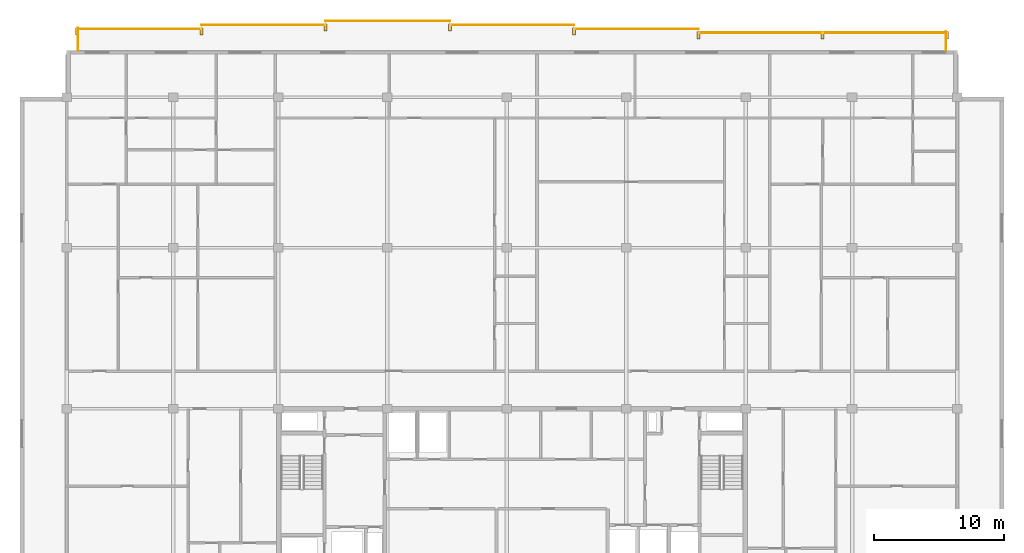
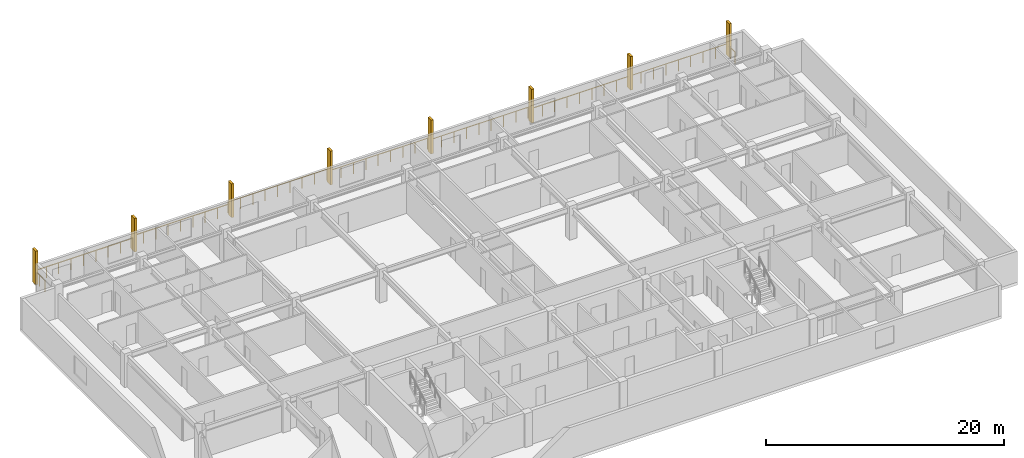
# One storey, part 10 of 10: 8 railings, 8 shading devices.
"""IFC4 building model written with IfcOpenShell, lengths in metres."""

from ifc_helpers import new_model, si_unit, direction, frame, origin, origin_2d, place, context, subcontext, project, spatial, rectangle, circle, extrude, material, type_object, element, save


model = new_model("IFC4")

# Units and contexts
model_context = context("Model", 3, precision=1e-05, world=origin(), true_north=direction((0.0, 1.0)))
body_context = subcontext(model_context, "Body", "Model", "MODEL_VIEW")
ifc_project = project(units=[si_unit("LENGTHUNIT", "METRE"), si_unit("AREAUNIT", "SQUARE_METRE"), si_unit("VOLUMEUNIT", "CUBIC_METRE"), si_unit("PLANEANGLEUNIT", "RADIAN"), si_unit("MASSUNIT", "GRAM", prefix="KILO")], contexts=[model_context])

# Site, building, storey
site_placement = place(None, origin())
site = spatial("IfcSite", under=ifc_project, at=site_placement, CompositionType="ELEMENT")
building_placement = place(site_placement, origin())
building = spatial("IfcBuilding", under=site, at=building_placement, Name="Korimba Cascade Residences", CompositionType="ELEMENT")
storey_placement = place(building_placement, frame((0.0, 0.0, 239.0)))
storey = spatial("IfcBuildingStorey", under=building, at=storey_placement, Name="L69", CompositionType="ELEMENT", Elevation=239.0)

# Railings
ifc_material_1 = material(Name="Laminated Glass and Bronze Balustrade", Category="glass")
railing_type = type_object("IfcRailingType", Name="RLG-LOG-1150", PredefinedType="BALUSTRADE", material=ifc_material_1)
railing_1_placement = place(storey_placement, frame((127.52001953125, 94.800048828125, 0.0)))
element("IfcRailing", 1, at=railing_1_placement, inside=storey, type_object=railing_type, Name="L69 Perimeter Guardrail RLG-L69-T1-LOG-01", PredefinedType="BALUSTRADE", context=body_context, shape_type="SweptSolid", body=[
    extrude(circle(Radius=0.02392578125, at=origin_2d()), frame((0.0, 0.0, 1.1259765625), z_axis=(0.0, 1.0, 0.0), x_axis=(-1.0, 0.0, 0.0)), (0.0, 0.0, 1.0), 1.449951171875),
    extrude(circle(Radius=0.02099609375, at=origin_2d()), origin(), (0.0, 0.0, 1.0), 1.101806640625),
    extrude(circle(Radius=0.02099609375, at=origin_2d()), frame((0.0, 0.72509765625, 0.0)), (0.0, 0.0, 1.0), 1.101806640625),
    extrude(circle(Radius=0.02099609375, at=origin_2d()), frame((0.0, 1.449951171875, 0.0)), (0.0, 0.0, 1.0), 1.101806640625),
])
railing_2_placement = place(storey_placement, frame((127.60009765625, 96.169921875, 0.0)))
element("IfcRailing", 2, at=railing_2_placement, inside=storey, type_object=railing_type, Name="L69 Perimeter Guardrail RLG-L69-T1-LOG-02", PredefinedType="BALUSTRADE", context=body_context, shape_type="SweptSolid", body=[
    extrude(circle(Radius=0.02392578125, at=origin_2d()), frame((0.0, 0.0, 1.1259765625), z_axis=(-1.0, 0.0, 0.0), x_axis=(0.0, -1.0, 0.0)), (0.0, 0.0, 1.0), 19.14306640625),
    extrude(circle(Radius=0.02099609375, at=origin_2d()), origin(), (0.0, 0.0, 1.0), 1.101806640625),
    extrude(circle(Radius=0.02099609375, at=origin_2d()), frame((-1.196533203125, 0.0, 0.0)), (0.0, 0.0, 1.0), 1.101806640625),
    extrude(circle(Radius=0.02099609375, at=origin_2d()), frame((-2.392822265625, 0.0, 0.0)), (0.0, 0.0, 1.0), 1.101806640625),
    extrude(circle(Radius=0.02099609375, at=origin_2d()), frame((-3.58935546875, 0.0, 0.0)), (0.0, 0.0, 1.0), 1.101806640625),
    extrude(circle(Radius=0.02099609375, at=origin_2d()), frame((-4.78564453125, 0.0, 0.0)), (0.0, 0.0, 1.0), 1.101806640625),
    extrude(circle(Radius=0.02099609375, at=origin_2d()), frame((-5.982177734375, 0.0, 0.0)), (0.0, 0.0, 1.0), 1.101806640625),
    extrude(circle(Radius=0.02099609375, at=origin_2d()), frame((-7.1787109375, 0.0, 0.0)), (0.0, 0.0, 1.0), 1.101806640625),
    extrude(circle(Radius=0.02099609375, at=origin_2d()), frame((-8.375, 0.0, 0.0)), (0.0, 0.0, 1.0), 1.101806640625),
    extrude(circle(Radius=0.02099609375, at=origin_2d()), frame((-9.571533203125, 0.0, 0.0)), (0.0, 0.0, 1.0), 1.101806640625),
    extrude(circle(Radius=0.02099609375, at=origin_2d()), frame((-10.76806640625, 0.0, 0.0)), (0.0, 0.0, 1.0), 1.101806640625),
    extrude(circle(Radius=0.02099609375, at=origin_2d()), frame((-11.96435546875, 0.0, 0.0)), (0.0, 0.0, 1.0), 1.101806640625),
    extrude(circle(Radius=0.02099609375, at=origin_2d()), frame((-13.160888671875, 0.0, 0.0)), (0.0, 0.0, 1.0), 1.101806640625),
    extrude(circle(Radius=0.02099609375, at=origin_2d()), frame((-14.357421875, 0.0, 0.0)), (0.0, 0.0, 1.0), 1.101806640625),
    extrude(circle(Radius=0.02099609375, at=origin_2d()), frame((-15.5537109375, 0.0, 0.0)), (0.0, 0.0, 1.0), 1.101806640625),
    extrude(circle(Radius=0.02099609375, at=origin_2d()), frame((-16.750244140625, 0.0, 0.0)), (0.0, 0.0, 1.0), 1.101806640625),
    extrude(circle(Radius=0.02099609375, at=origin_2d()), frame((-17.946533203125, 0.0, 0.0)), (0.0, 0.0, 1.0), 1.101806640625),
    extrude(circle(Radius=0.02099609375, at=origin_2d()), frame((-19.14306640625, 0.0, 0.0)), (0.0, 0.0, 1.0), 1.101806640625),
])
railing_3_placement = place(storey_placement, frame((108.45703125, 96.469970703125, 0.0)))
element("IfcRailing", 3, at=railing_3_placement, inside=storey, type_object=railing_type, Name="L69 Perimeter Guardrail RLG-L69-T1-LOG-03", PredefinedType="BALUSTRADE", context=body_context, shape_type="SweptSolid", body=[
    extrude(circle(Radius=0.02392578125, at=origin_2d()), frame((0.0, 0.0, 1.1259765625), z_axis=(-1.0, 0.0, 0.0), x_axis=(0.0, -1.0, 0.0)), (0.0, 0.0, 1.0), 9.5712890625),
    extrude(circle(Radius=0.02099609375, at=origin_2d()), origin(), (0.0, 0.0, 1.0), 1.101806640625),
    extrude(circle(Radius=0.02099609375, at=origin_2d()), frame((-1.1962890625, 0.0, 0.0)), (0.0, 0.0, 1.0), 1.101806640625),
    extrude(circle(Radius=0.02099609375, at=origin_2d()), frame((-2.392822265625, 0.0, 0.0)), (0.0, 0.0, 1.0), 1.101806640625),
    extrude(circle(Radius=0.02099609375, at=origin_2d()), frame((-3.58935546875, 0.0, 0.0)), (0.0, 0.0, 1.0), 1.101806640625),
    extrude(circle(Radius=0.02099609375, at=origin_2d()), frame((-4.78564453125, 0.0, 0.0)), (0.0, 0.0, 1.0), 1.101806640625),
    extrude(circle(Radius=0.02099609375, at=origin_2d()), frame((-5.98193359375, 0.0, 0.0)), (0.0, 0.0, 1.0), 1.101806640625),
    extrude(circle(Radius=0.02099609375, at=origin_2d()), frame((-7.178466796875, 0.0, 0.0)), (0.0, 0.0, 1.0), 1.101806640625),
    extrude(circle(Radius=0.02099609375, at=origin_2d()), frame((-8.375, 0.0, 0.0)), (0.0, 0.0, 1.0), 1.101806640625),
    extrude(circle(Radius=0.02099609375, at=origin_2d()), frame((-9.5712890625, 0.0, 0.0)), (0.0, 0.0, 1.0), 1.101806640625),
])
railing_4_placement = place(storey_placement, frame((98.8857421875, 96.77001953125, 0.0)))
element("IfcRailing", 4, at=railing_4_placement, inside=storey, type_object=railing_type, Name="L69 Perimeter Guardrail RLG-L69-T1-LOG-04", PredefinedType="BALUSTRADE", context=body_context, shape_type="SweptSolid", body=[
    extrude(circle(Radius=0.02392578125, at=origin_2d()), frame((0.0, 0.0, 1.1259765625), z_axis=(-1.0, 0.0, 0.0), x_axis=(0.0, -1.0, 0.0)), (0.0, 0.0, 1.0), 9.571533203125),
    extrude(circle(Radius=0.02099609375, at=origin_2d()), origin(), (0.0, 0.0, 1.0), 1.101806640625),
    extrude(circle(Radius=0.02099609375, at=origin_2d()), frame((-1.196533203125, 0.0, 0.0)), (0.0, 0.0, 1.0), 1.101806640625),
    extrude(circle(Radius=0.02099609375, at=origin_2d()), frame((-2.392822265625, 0.0, 0.0)), (0.0, 0.0, 1.0), 1.101806640625),
    extrude(circle(Radius=0.02099609375, at=origin_2d()), frame((-3.58935546875, 0.0, 0.0)), (0.0, 0.0, 1.0), 1.101806640625),
    extrude(circle(Radius=0.02099609375, at=origin_2d()), frame((-4.78564453125, 0.0, 0.0)), (0.0, 0.0, 1.0), 1.101806640625),
    extrude(circle(Radius=0.02099609375, at=origin_2d()), frame((-5.982177734375, 0.0, 0.0)), (0.0, 0.0, 1.0), 1.101806640625),
    extrude(circle(Radius=0.02099609375, at=origin_2d()), frame((-7.1787109375, 0.0, 0.0)), (0.0, 0.0, 1.0), 1.101806640625),
    extrude(circle(Radius=0.02099609375, at=origin_2d()), frame((-8.375, 0.0, 0.0)), (0.0, 0.0, 1.0), 1.101806640625),
    extrude(circle(Radius=0.02099609375, at=origin_2d()), frame((-9.571533203125, 0.0, 0.0)), (0.0, 0.0, 1.0), 1.101806640625),
])
railing_5_placement = place(storey_placement, frame((89.314208984375, 97.070068359375, 0.0)))
element("IfcRailing", 5, at=railing_5_placement, inside=storey, type_object=railing_type, Name="L69 Perimeter Guardrail RLG-L69-T1-LOG-05", PredefinedType="BALUSTRADE", context=body_context, shape_type="SweptSolid", body=[
    extrude(circle(Radius=0.02392578125, at=origin_2d()), frame((0.0, 0.0, 1.1259765625), z_axis=(-1.0, 0.0, 0.0), x_axis=(0.0, -1.0, 0.0)), (0.0, 0.0, 1.0), 9.5712890625),
    extrude(circle(Radius=0.02099609375, at=origin_2d()), origin(), (0.0, 0.0, 1.0), 1.101806640625),
    extrude(circle(Radius=0.02099609375, at=origin_2d()), frame((-1.1962890625, 0.0, 0.0)), (0.0, 0.0, 1.0), 1.101806640625),
    extrude(circle(Radius=0.02099609375, at=origin_2d()), frame((-2.392822265625, 0.0, 0.0)), (0.0, 0.0, 1.0), 1.101806640625),
    extrude(circle(Radius=0.02099609375, at=origin_2d()), frame((-3.58935546875, 0.0, 0.0)), (0.0, 0.0, 1.0), 1.101806640625),
    extrude(circle(Radius=0.02099609375, at=origin_2d()), frame((-4.78564453125, 0.0, 0.0)), (0.0, 0.0, 1.0), 1.101806640625),
    extrude(circle(Radius=0.02099609375, at=origin_2d()), frame((-5.98193359375, 0.0, 0.0)), (0.0, 0.0, 1.0), 1.101806640625),
    extrude(circle(Radius=0.02099609375, at=origin_2d()), frame((-7.178466796875, 0.0, 0.0)), (0.0, 0.0, 1.0), 1.101806640625),
    extrude(circle(Radius=0.02099609375, at=origin_2d()), frame((-8.375, 0.0, 0.0)), (0.0, 0.0, 1.0), 1.101806640625),
    extrude(circle(Radius=0.02099609375, at=origin_2d()), frame((-9.5712890625, 0.0, 0.0)), (0.0, 0.0, 1.0), 1.101806640625),
])
railing_6_placement = place(storey_placement, frame((79.742919921875, 96.77001953125, 0.0)))
element("IfcRailing", 6, at=railing_6_placement, inside=storey, type_object=railing_type, Name="L69 Perimeter Guardrail RLG-L69-T1-LOG-06", PredefinedType="BALUSTRADE", context=body_context, shape_type="SweptSolid", body=[
    extrude(circle(Radius=0.02392578125, at=origin_2d()), frame((0.0, 0.0, 1.1259765625), z_axis=(-1.0, 0.0, 0.0), x_axis=(0.0, -1.0, 0.0)), (0.0, 0.0, 1.0), 9.571533203125),
    extrude(circle(Radius=0.02099609375, at=origin_2d()), origin(), (0.0, 0.0, 1.0), 1.101806640625),
    extrude(circle(Radius=0.02099609375, at=origin_2d()), frame((-1.196533203125, 0.0, 0.0)), (0.0, 0.0, 1.0), 1.101806640625),
    extrude(circle(Radius=0.02099609375, at=origin_2d()), frame((-2.392822265625, 0.0, 0.0)), (0.0, 0.0, 1.0), 1.101806640625),
    extrude(circle(Radius=0.02099609375, at=origin_2d()), frame((-3.58935546875, 0.0, 0.0)), (0.0, 0.0, 1.0), 1.101806640625),
    extrude(circle(Radius=0.02099609375, at=origin_2d()), frame((-4.78564453125, 0.0, 0.0)), (0.0, 0.0, 1.0), 1.101806640625),
    extrude(circle(Radius=0.02099609375, at=origin_2d()), frame((-5.982177734375, 0.0, 0.0)), (0.0, 0.0, 1.0), 1.101806640625),
    extrude(circle(Radius=0.02099609375, at=origin_2d()), frame((-7.1787109375, 0.0, 0.0)), (0.0, 0.0, 1.0), 1.101806640625),
    extrude(circle(Radius=0.02099609375, at=origin_2d()), frame((-8.375, 0.0, 0.0)), (0.0, 0.0, 1.0), 1.101806640625),
    extrude(circle(Radius=0.02099609375, at=origin_2d()), frame((-9.571533203125, 0.0, 0.0)), (0.0, 0.0, 1.0), 1.101806640625),
])
railing_7_placement = place(storey_placement, frame((70.17138671875, 96.469970703125, 0.0)))
element("IfcRailing", 7, at=railing_7_placement, inside=storey, type_object=railing_type, Name="L69 Perimeter Guardrail RLG-L69-T1-LOG-07", PredefinedType="BALUSTRADE", context=body_context, shape_type="SweptSolid", body=[
    extrude(circle(Radius=0.02392578125, at=origin_2d()), frame((0.0, 0.0, 1.1259765625), z_axis=(-1.0, 0.0, 0.0), x_axis=(0.0, -1.0, 0.0)), (0.0, 0.0, 1.0), 9.5712890625),
    extrude(circle(Radius=0.02099609375, at=origin_2d()), origin(), (0.0, 0.0, 1.0), 1.101806640625),
    extrude(circle(Radius=0.02099609375, at=origin_2d()), frame((-1.1962890625, 0.0, 0.0)), (0.0, 0.0, 1.0), 1.101806640625),
    extrude(circle(Radius=0.02099609375, at=origin_2d()), frame((-2.392822265625, 0.0, 0.0)), (0.0, 0.0, 1.0), 1.101806640625),
    extrude(circle(Radius=0.02099609375, at=origin_2d()), frame((-3.58935546875, 0.0, 0.0)), (0.0, 0.0, 1.0), 1.101806640625),
    extrude(circle(Radius=0.02099609375, at=origin_2d()), frame((-4.78564453125, 0.0, 0.0)), (0.0, 0.0, 1.0), 1.101806640625),
    extrude(circle(Radius=0.02099609375, at=origin_2d()), frame((-5.98193359375, 0.0, 0.0)), (0.0, 0.0, 1.0), 1.101806640625),
    extrude(circle(Radius=0.02099609375, at=origin_2d()), frame((-7.178466796875, 0.0, 0.0)), (0.0, 0.0, 1.0), 1.101806640625),
    extrude(circle(Radius=0.02099609375, at=origin_2d()), frame((-8.375, 0.0, 0.0)), (0.0, 0.0, 1.0), 1.101806640625),
    extrude(circle(Radius=0.02099609375, at=origin_2d()), frame((-9.5712890625, 0.0, 0.0)), (0.0, 0.0, 1.0), 1.101806640625),
])
railing_8_placement = place(storey_placement, frame((60.679931640625, 96.550048828125, 0.0)))
element("IfcRailing", 8, at=railing_8_placement, inside=storey, type_object=railing_type, Name="L69 Perimeter Guardrail RLG-L69-T1-LOG-08", PredefinedType="BALUSTRADE", context=body_context, shape_type="SweptSolid", body=[
    extrude(circle(Radius=0.02392578125, at=origin_2d()), frame((0.0, 0.0, 1.1259765625), z_axis=(0.0, -1.0, 0.0), x_axis=(1.0, 0.0, 0.0)), (0.0, 0.0, 1.0), 1.75),
    extrude(circle(Radius=0.02099609375, at=origin_2d()), origin(), (0.0, 0.0, 1.0), 1.101806640625),
    extrude(circle(Radius=0.02099609375, at=origin_2d()), frame((0.0, -0.875, 0.0)), (0.0, 0.0, 1.0), 1.101806640625),
    extrude(circle(Radius=0.02099609375, at=origin_2d()), frame((0.0, -1.75, 0.0)), (0.0, 0.0, 1.0), 1.101806640625),
])

# Shading devices
ifc_material_2 = material(Name="Honed Sandstone Precast Fin", Category="masonry")
shading_device_type = type_object("IfcShadingDeviceType", Name="SHD-FIN-550", PredefinedType="USERDEFINED", material=ifc_material_2)
for number, where, z_axis, x_axis, name in (
    (9, (60.60009765625, 96.27490234375, 0.0), (0.0, 0.0, 1.0), (1.0, 0.0, 0.0), "L69 T1 Warm-Stone Loggia Fin 1"),
    (10, (70.17138671875, 96.27490234375, 0.0), (0.0, 0.0, 1.0), (1.0, 0.0, 0.0), "L69 T1 Warm-Stone Loggia Fin 2"),
    (11, (79.742919921875, 96.574951171875, 0.0), (0.0, 0.0, 1.0), (1.0, 0.0, 0.0), "L69 T1 Warm-Stone Loggia Fin 3"),
    (12, (89.314208984375, 96.574951171875, 0.0), (0.0, 0.0, 1.0), (1.0, 0.0, 0.0), "L69 T1 Warm-Stone Loggia Fin 4"),
    (13, (98.8857421875, 96.27490234375, 0.0), (0.0, 0.0, 1.0), (1.0, 0.0, 0.0), "L69 T1 Warm-Stone Loggia Fin 5"),
    (14, (108.45703125, 95.97509765625, 0.0), (0.0, 0.0, 1.0), (1.0, 0.0, 0.0), "L69 T1 Warm-Stone Loggia Fin 6"),
    (15, (118.028564453125, 95.97509765625, 0.0), (0.0, 0.0, 1.0), (1.0, 0.0, 0.0), "L69 T1 Warm-Stone Loggia Fin 7"),
    (16, (127.60009765625, 95.97509765625, 0.0), (0.0, 0.0, 1.0), (1.0, 0.0, 0.0), "L69 T1 Warm-Stone Loggia Fin 8"),
):
    element("IfcShadingDevice", number, at=place(storey_placement, frame(where, z_axis=z_axis, x_axis=x_axis)), inside=storey, type_object=shading_device_type, Name=name, ObjectType="FIN", PredefinedType="USERDEFINED", context=body_context, shape_type="SweptSolid", body=[
        extrude(rectangle(XDim=0.219970703125, YDim=0.550048828125, at=origin_2d()), origin(), (0.0, 0.0, 1.0), 3.449951171875),
    ])

save(model, "model.ifc")
